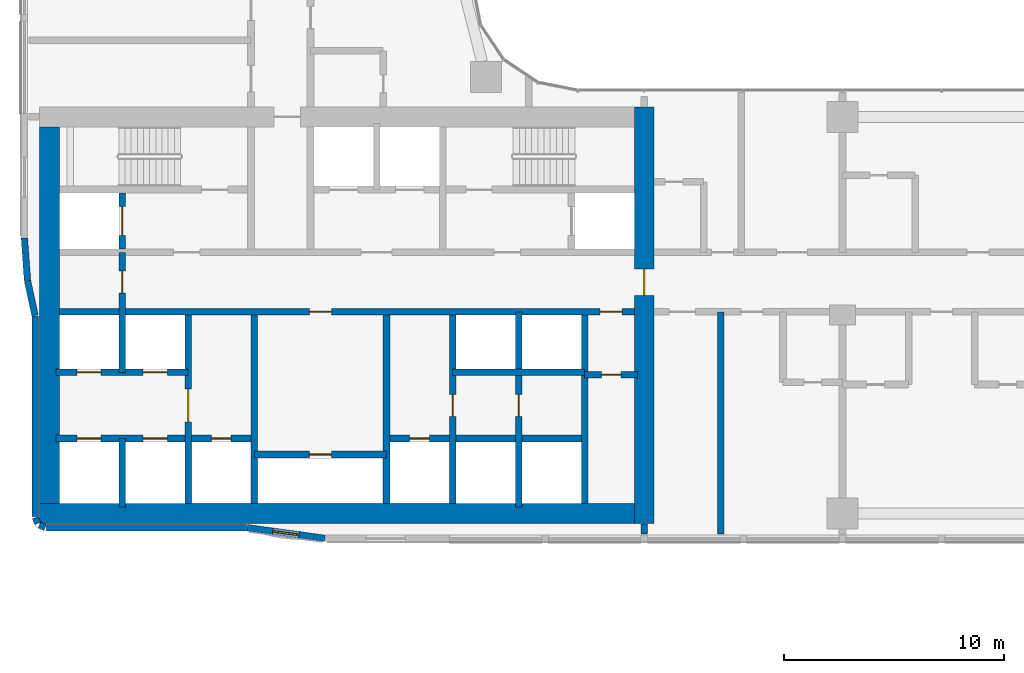
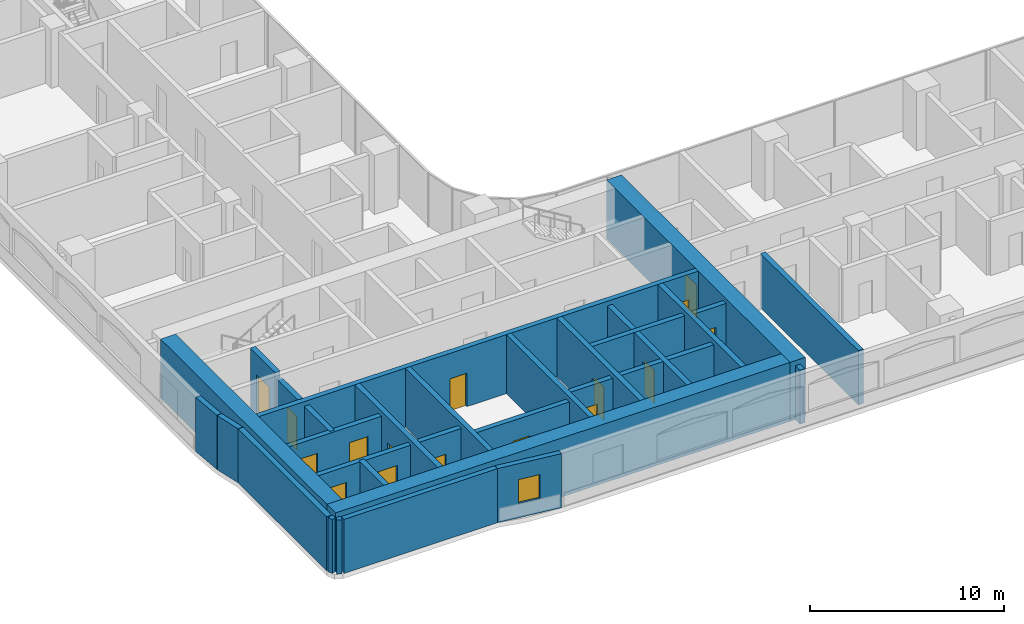
# One storey, part 18 of 36: 28 walls, 16 doors, 1 window, 17 openings.
"""IFC4 building model written with IfcOpenShell, lengths in metres."""

from ifc_helpers import new_model, si_unit, direction, frame, frame_2d, origin, place, context, subcontext, project, spatial, rectangle, extrude, material, layer, layer_set, type_object, element, fill, save


model = new_model("IFC4")

# Units and contexts
model_context = context("Model", 3, precision=1e-05, world=origin(), true_north=direction((0.0, 1.0)))
body_context = subcontext(model_context, "Body", "Model", "MODEL_VIEW")
ifc_project = project(units=[si_unit("LENGTHUNIT", "METRE"), si_unit("AREAUNIT", "SQUARE_METRE"), si_unit("VOLUMEUNIT", "CUBIC_METRE"), si_unit("PLANEANGLEUNIT", "RADIAN"), si_unit("MASSUNIT", "GRAM", prefix="KILO")], contexts=[model_context])

# Site, building, storey
site_placement = place(None, origin())
site = spatial("IfcSite", under=ifc_project, at=site_placement, CompositionType="ELEMENT")
building_placement = place(site_placement, origin())
building = spatial("IfcBuilding", under=site, at=building_placement, Name="Ogive Portal Towers", CompositionType="ELEMENT")
storey_placement = place(building_placement, frame((0.0, 0.0, 48.300048828125)))
storey = spatial("IfcBuildingStorey", under=building, at=storey_placement, Name="L10", CompositionType="ELEMENT", Elevation=48.300048828125)

# Wall, opening, door
ifc_material_1 = material(Name="Concrete C60/75", Category="concrete")
ifc_layer_1 = layer(ifc_material_1, 0.300048828125)
ifc_layer_set_1 = layer_set([ifc_layer_1], Name="CORE WALL 300 C60")
wall_type_1 = type_object("IfcWallType", Name="CORE WALL 300 C60", PredefinedType="SHEAR", material=ifc_layer_set_1)
wall_1_placement = place(storey_placement, frame((37.800048828125, 21.949951171875, 0.0), z_axis=(0.0, 0.0, 1.0), x_axis=(0.0, 1.0, 0.0)))
wall_1 = element("IfcWall", 1, at=wall_1_placement, inside=storey, type_object=wall_type_1, Name="Core wall X1 L10", PredefinedType="SHEAR", context=body_context, shape_type="SweptSolid", body=[
    extrude(rectangle(XDim=8.550048828125, YDim=0.300048828125, at=frame_2d((4.27490234375, 0.0))), origin(), (0.0, 0.0, 1.0), 3.699951171875),
])
opening_1_placement = place(wall_1_placement, frame((3.699951171875, 0.0, 0.0)))
opening_1 = element("IfcOpeningElement", 2, at=opening_1_placement, cuts=wall_1, Name="Opening D02-001", PredefinedType="OPENING", context=body_context, shape_type="SweptSolid", body=[
    extrude(rectangle(XDim=1.5, YDim=2.10009765625, at=frame_2d((0.75, 1.050048828125))), frame((0.0, 0.16015625, 0.0), z_axis=(0.0, -1.0, 0.0), x_axis=(1.0, 0.0, 0.0)), (0.0, 0.0, 1.0), 0.320068359375),
])
ifc_material_2 = material(Name="Steel fire door", Category="steel")
door_type_1 = type_object("IfcDoorType", Name="DT-SWING-1500x2100-FD90S", OperationType="SINGLE_SWING_LEFT", PredefinedType="DOOR", material=ifc_material_2)
door_1_placement = place(opening_1_placement, origin())
door_1 = element("IfcDoor", 3, at=door_1_placement, inside=storey, type_object=door_type_1, Name="Door D02-001", OperationType="SINGLE_SWING_LEFT", OverallHeight=2.10009765625, OverallWidth=1.5, PredefinedType="DOOR", context=body_context, shape_type="SweptSolid", body=[
    extrude(rectangle(XDim=1.5, YDim=2.10009765625, at=frame_2d((0.75, 1.050048828125))), frame((0.0, 0.02490234375, 0.0), z_axis=(0.0, -1.0, 0.0), x_axis=(1.0, 0.0, 0.0)), (0.0, 0.0, 1.0), 0.050048828125),
])
fill(opening_1, door_1)

# Walls
for number, where, z_axis, x_axis, name in (
    (4, (40.800048828125, 21.949951171875, 0.0), (0.0, 0.0, 1.0), (0.0, 1.0, 0.0), "Core wall X2 L10"),
    (5, (46.800048828125, 21.949951171875, 0.0), (0.0, 0.0, 1.0), (0.0, 1.0, 0.0), "Core wall X3 L10"),
):
    element("IfcWall", number, at=place(storey_placement, frame(where, z_axis=z_axis, x_axis=x_axis)), inside=storey, type_object=wall_type_1, Name=name, PredefinedType="SHEAR", context=body_context, shape_type="SweptSolid", body=[
        extrude(rectangle(XDim=8.550048828125, YDim=0.300048828125, at=frame_2d((4.27490234375, 0.0))), origin(), (0.0, 0.0, 1.0), 3.699951171875),
    ])

# Wall, opening, door
wall_2_placement = place(storey_placement, frame((49.800048828125, 21.949951171875, 0.0), z_axis=(0.0, 0.0, 1.0), x_axis=(0.0, 1.0, 0.0)))
wall_2 = element("IfcWall", 6, at=wall_2_placement, inside=storey, type_object=wall_type_1, Name="Core wall X4 L10", PredefinedType="SHEAR", context=body_context, shape_type="SweptSolid", body=[
    extrude(rectangle(XDim=8.550048828125, YDim=0.300048828125, at=frame_2d((4.27490234375, 0.0))), origin(), (0.0, 0.0, 1.0), 3.699951171875),
])
opening_2_placement = place(wall_2_placement, frame((3.949951171875, 0.0, 0.0)))
opening_2 = element("IfcOpeningElement", 7, at=opening_2_placement, cuts=wall_2, Name="Opening D02-023", PredefinedType="OPENING", context=body_context, shape_type="SweptSolid", body=[
    extrude(rectangle(XDim=1.0, YDim=2.10009765625, at=frame_2d((0.5, 1.050048828125))), frame((0.0, 0.16015625, 0.0), z_axis=(0.0, -1.0, 0.0), x_axis=(1.0, 0.0, 0.0)), (0.0, 0.0, 1.0), 0.320068359375),
])
door_type_2 = type_object("IfcDoorType", Name="DT-SWING-1000x2100-FD90S", OperationType="SINGLE_SWING_LEFT", PredefinedType="DOOR", material=ifc_material_2)
door_2_placement = place(opening_2_placement, origin())
door_2 = element("IfcDoor", 8, at=door_2_placement, inside=storey, type_object=door_type_2, Name="Door D02-023", OperationType="SINGLE_SWING_LEFT", OverallHeight=2.10009765625, OverallWidth=1.0, PredefinedType="DOOR", context=body_context, shape_type="SweptSolid", body=[
    extrude(rectangle(XDim=1.0, YDim=2.10009765625, at=frame_2d((0.5, 1.050048828125))), frame((0.0, 0.02490234375, 0.0), z_axis=(0.0, -1.0, 0.0), x_axis=(1.0, 0.0, 0.0)), (0.0, 0.0, 1.0), 0.050048828125),
])
fill(opening_2, door_2)

# Wall
wall_3_placement = place(storey_placement, frame((55.800048828125, 21.949951171875, 0.0), z_axis=(0.0, 0.0, 1.0), x_axis=(0.0, 1.0, 0.0)))
element("IfcWall", 9, at=wall_3_placement, inside=storey, type_object=wall_type_1, Name="Core wall X5 L10", PredefinedType="SHEAR", context=body_context, shape_type="SweptSolid", body=[
    extrude(rectangle(XDim=8.550048828125, YDim=0.300048828125, at=frame_2d((4.27490234375, 0.0))), origin(), (0.0, 0.0, 1.0), 3.699951171875),
])

# Wall, openings, doors
wall_4_placement = place(storey_placement, frame((31.949951171875, 30.64990234375, 0.0), z_axis=(0.0, 0.0, 1.0), x_axis=(1.0, 0.0, 0.0)))
wall_4 = element("IfcWall", 10, at=wall_4_placement, inside=storey, type_object=wall_type_1, Name="Core wall Y1 L10", PredefinedType="SHEAR", context=body_context, shape_type="SweptSolid", body=[
    extrude(rectangle(XDim=26.10009765625, YDim=0.300048828125, at=frame_2d((13.050048828125, 0.0))), origin(), (0.0, 0.0, 1.0), 3.699951171875),
])
opening_3_placement = place(wall_4_placement, frame((24.550048828125, 0.0, 0.0)))
opening_3 = element("IfcOpeningElement", 11, at=opening_3_placement, cuts=wall_4, Name="Opening D02-009", PredefinedType="OPENING", context=body_context, shape_type="SweptSolid", body=[
    extrude(rectangle(XDim=1.0, YDim=2.10009765625, at=frame_2d((0.5, 1.050048828125))), frame((0.0, 0.16015625, 0.0), z_axis=(0.0, -1.0, 0.0), x_axis=(1.0, 0.0, 0.0)), (0.0, 0.0, 1.0), 0.320068359375),
])
opening_4_placement = place(wall_4_placement, frame((11.35009765625, 0.0, 0.0)))
opening_4 = element("IfcOpeningElement", 12, at=opening_4_placement, cuts=wall_4, Name="Opening D02-021", PredefinedType="OPENING", context=body_context, shape_type="SweptSolid", body=[
    extrude(rectangle(XDim=1.0, YDim=2.10009765625, at=frame_2d((0.5, 1.050048828125))), frame((0.0, 0.16015625, 0.0), z_axis=(0.0, -1.0, 0.0), x_axis=(1.0, 0.0, 0.0)), (0.0, 0.0, 1.0), 0.320068359375),
])
door_3_placement = place(opening_3_placement, origin())
door_3 = element("IfcDoor", 13, at=door_3_placement, inside=storey, type_object=door_type_2, Name="Door D02-009", OperationType="SINGLE_SWING_LEFT", OverallHeight=2.10009765625, OverallWidth=1.0, PredefinedType="DOOR", context=body_context, shape_type="SweptSolid", body=[
    extrude(rectangle(XDim=1.0, YDim=2.10009765625, at=frame_2d((0.5, 1.050048828125))), frame((0.0, 0.02490234375, 0.0), z_axis=(0.0, -1.0, 0.0), x_axis=(1.0, 0.0, 0.0)), (0.0, 0.0, 1.0), 0.050048828125),
])
fill(opening_3, door_3)
door_4_placement = place(opening_4_placement, origin())
door_4 = element("IfcDoor", 14, at=door_4_placement, inside=storey, type_object=door_type_2, Name="Door D02-021", OperationType="SINGLE_SWING_LEFT", OverallHeight=2.10009765625, OverallWidth=1.0, PredefinedType="DOOR", context=body_context, shape_type="SweptSolid", body=[
    extrude(rectangle(XDim=1.0, YDim=2.10009765625, at=frame_2d((0.5, 1.050048828125))), frame((0.0, 0.02490234375, 0.0), z_axis=(0.0, -1.0, 0.0), x_axis=(1.0, 0.0, 0.0)), (0.0, 0.0, 1.0), 0.050048828125),
])
fill(opening_4, door_4)

# Wall, opening, door
wall_5_placement = place(storey_placement, frame((34.800048828125, 33.5, 0.0), z_axis=(0.0, 0.0, 1.0), x_axis=(0.0, 1.0, 0.0)))
wall_5 = element("IfcWall", 15, at=wall_5_placement, inside=storey, type_object=wall_type_1, Name="Core wall X8 L10", PredefinedType="SHEAR", context=body_context, shape_type="SweptSolid", body=[
    extrude(rectangle(XDim=2.550048828125, YDim=0.300048828125, at=frame_2d((1.27490234375, 0.0))), origin(), (0.0, 0.0, 1.0), 3.699951171875),
])
opening_5_placement = place(wall_5_placement, frame((0.625, 0.0, 0.0)))
opening_5 = element("IfcOpeningElement", 16, at=opening_5_placement, cuts=wall_5, Name="Opening D02-019", PredefinedType="OPENING", context=body_context, shape_type="SweptSolid", body=[
    extrude(rectangle(XDim=1.300048828125, YDim=2.39990234375, at=frame_2d((0.64990234375, 1.199951171875))), frame((0.0, 0.16015625, 0.0), z_axis=(0.0, -1.0, 0.0), x_axis=(1.0, 0.0, 0.0)), (0.0, 0.0, 1.0), 0.320068359375),
])
ifc_material_3 = material(Name="Stainless steel", Category="steel")
door_type_3 = type_object("IfcDoorType", Name="DT-LD-1300x2400", OperationType="SLIDING_TO_LEFT", PredefinedType="DOOR", material=ifc_material_3)
door_5_placement = place(opening_5_placement, origin())
door_5 = element("IfcDoor", 17, at=door_5_placement, inside=storey, type_object=door_type_3, Name="Door D02-019", OperationType="SLIDING_TO_LEFT", OverallHeight=2.39990234375, OverallWidth=1.300048828125, PredefinedType="DOOR", context=body_context, shape_type="SweptSolid", body=[
    extrude(rectangle(XDim=1.300048828125, YDim=2.39990234375, at=frame_2d((0.64990234375, 1.199951171875))), frame((0.0, 0.02490234375, 0.0), z_axis=(0.0, -1.0, 0.0), x_axis=(1.0, 0.0, 0.0)), (0.0, 0.0, 1.0), 0.050048828125),
])
fill(opening_5, door_5)

# Walls
ifc_layer_2 = layer(ifc_material_1, 0.89990234375)
ifc_layer_set_2 = layer_set([ifc_layer_2], Name="CORE WALL 900 C60")
wall_type_2 = type_object("IfcWallType", Name="CORE WALL 900 C60", PredefinedType="SHEAR", material=ifc_layer_set_2)
wall_6_placement = place(storey_placement, frame((31.5, 21.949951171875, 0.0), z_axis=(0.0, 0.0, 1.0), x_axis=(0.0, 1.0, 0.0)))
element("IfcWall", 18, at=wall_6_placement, inside=storey, type_object=wall_type_2, Name="Core wall W L10", PredefinedType="SHEAR", context=body_context, shape_type="SweptSolid", body=[
    extrude(rectangle(XDim=17.10009765625, YDim=0.89990234375, at=frame_2d((8.550048828125, 0.0))), origin(), (0.0, 0.0, 1.0), 3.699951171875),
])
wall_7_placement = place(storey_placement, frame((31.050048828125, 21.5, 0.0), z_axis=(0.0, 0.0, 1.0), x_axis=(1.0, 0.0, 0.0)))
element("IfcWall", 19, at=wall_7_placement, inside=storey, type_object=wall_type_2, Name="Core wall S L10", PredefinedType="SHEAR", context=body_context, shape_type="SweptSolid", body=[
    extrude(rectangle(XDim=27.0, YDim=0.89990234375, at=frame_2d((13.5, 0.0))), origin(), (0.0, 0.0, 1.0), 3.699951171875),
])

# Wall, opening, door
wall_8_placement = place(storey_placement, frame((58.5, 21.050048828125, 0.0), z_axis=(0.0, 0.0, 1.0), x_axis=(0.0, 1.0, 0.0)))
wall_8 = element("IfcWall", 20, at=wall_8_placement, inside=storey, type_object=wall_type_2, Name="Core wall E L10", PredefinedType="SHEAR", context=body_context, shape_type="SweptSolid", body=[
    extrude(rectangle(XDim=18.89990234375, YDim=0.89990234375, at=frame_2d((9.449951171875, 0.0))), origin(), (0.0, 0.0, 1.0), 3.699951171875),
])
opening_6_placement = place(wall_8_placement, frame((10.35009765625, 0.0, 0.0)))
opening_6 = element("IfcOpeningElement", 21, at=opening_6_placement, cuts=wall_8, Name="Opening D02-011", PredefinedType="OPENING", context=body_context, shape_type="SweptSolid", body=[
    extrude(rectangle(XDim=1.199951171875, YDim=2.10009765625, at=frame_2d((0.60009765625, 1.050048828125))), frame((0.0, 0.4599609375, 0.0), z_axis=(0.0, -1.0, 0.0), x_axis=(1.0, 0.0, 0.0)), (0.0, 0.0, 1.0), 0.919921875),
])
door_type_4 = type_object("IfcDoorType", Name="DT-SWING-1200x2100-FD90S", OperationType="SINGLE_SWING_LEFT", PredefinedType="DOOR", material=ifc_material_2)
door_6_placement = place(opening_6_placement, origin())
door_6 = element("IfcDoor", 22, at=door_6_placement, inside=storey, type_object=door_type_4, Name="Door D02-011", OperationType="SINGLE_SWING_LEFT", OverallHeight=2.10009765625, OverallWidth=1.199951171875, PredefinedType="DOOR", context=body_context, shape_type="SweptSolid", body=[
    extrude(rectangle(XDim=1.199951171875, YDim=2.10009765625, at=frame_2d((0.60009765625, 1.050048828125))), frame((0.0, 0.02490234375, 0.0), z_axis=(0.0, -1.0, 0.0), x_axis=(1.0, 0.0, 0.0)), (0.0, 0.0, 1.0), 0.050048828125),
])
fill(opening_6, door_6)

# Walls
ifc_material_4 = material(Name="Limestone cladding on lightweight block wall", Category="masonry")
ifc_layer_3 = layer(ifc_material_4, 0.300048828125)
ifc_layer_set_3 = layer_set([ifc_layer_3], Name="EXTERNAL WALL 300 STONE")
wall_type_3 = type_object("IfcWallType", Name="EXTERNAL WALL 300 STONE", PredefinedType="SOLIDWALL", material=ifc_layer_set_3)
wall_9_placement = place(storey_placement, frame((30.85009765625, 30.45361328125, 0.0), z_axis=(0.0, 0.0, 1.0), x_axis=(0.0, -1.0, 0.0)))
element("IfcWall", 23, at=wall_9_placement, inside=storey, type_object=wall_type_3, Name="A:L10:f00:r0:wall", PredefinedType="SOLIDWALL", context=body_context, shape_type="SweptSolid", body=[
    extrude(rectangle(XDim=9.093994140625, YDim=0.300048828125, at=frame_2d((4.546875, 0.0))), origin(), (0.0, 0.0, 1.0), 3.39990234375),
])
for number, where, z_axis, x_axis, name in (
    (24, (30.861328125, 21.30224609375, 0.0), (0.0, 0.0, 1.0), (0.38297812142, -0.923757413239, 0.0), "A:L10:f01:r0:wall"),
    (25, (31.0478515625, 20.966796875, 0.0), (0.0, 0.0, 1.0), (0.923757413239, -0.38297812142, 0.0), "A:L10:f02:r0:wall"),
):
    element("IfcWall", number, at=place(storey_placement, frame(where, z_axis=z_axis, x_axis=x_axis)), inside=storey, type_object=wall_type_3, Name=name, PredefinedType="SOLIDWALL", context=body_context, shape_type="SweptSolid", body=[
        extrude(rectangle(XDim=0.275390625, YDim=0.300048828125, at=frame_2d((0.1376953125, 0.0))), origin(), (0.0, 0.0, 1.0), 3.39990234375),
    ])
wall_10_placement = place(storey_placement, frame((31.359619140625, 20.85009765625, 0.0), z_axis=(0.0, 0.0, 1.0), x_axis=(1.0, 0.0, 0.0)))
element("IfcWall", 26, at=wall_10_placement, inside=storey, type_object=wall_type_3, Name="A:L10:f03:r0:wall", PredefinedType="SOLIDWALL", context=body_context, shape_type="SweptSolid", body=[
    extrude(rectangle(XDim=9.093994140625, YDim=0.300048828125, at=frame_2d((4.546875, 0.0))), origin(), (0.0, 0.0, 1.0), 3.39990234375),
])

# Wall, opening, window
wall_11_placement = place(storey_placement, frame((40.47412109375, 20.8486328125, 0.0), z_axis=(0.0, 0.0, 1.0), x_axis=(0.990778329255, -0.135492812649, 0.0)))
wall_11 = element("IfcWall", 27, at=wall_11_placement, inside=storey, type_object=wall_type_3, Name="A:L10:f04:r0:wall", PredefinedType="SOLIDWALL", context=body_context, shape_type="SweptSolid", body=[
    extrude(rectangle(XDim=3.55859375, YDim=0.300048828125, at=frame_2d((1.779296875, 0.0))), origin(), (0.0, 0.0, 1.0), 3.39990234375),
])
opening_7_placement = place(wall_11_placement, frame((1.179443359375, 0.0, 0.89990234375)))
opening_7 = element("IfcOpeningElement", 28, at=opening_7_placement, cuts=wall_11, Name="Opening WN9", PredefinedType="OPENING", context=body_context, shape_type="SweptSolid", body=[
    extrude(rectangle(XDim=1.199951171875, YDim=1.5, at=frame_2d((0.60009765625, 0.75))), frame((0.0, 0.16015625, 0.0), z_axis=(0.0, -1.0, 0.0), x_axis=(1.0, 0.0, 0.0)), (0.0, 0.0, 1.0), 0.320068359375),
])
ifc_material_5 = material(Name="Glass, clear low-iron insulated glazing", Category="glass")
window_type = type_object("IfcWindowType", Name="WINDOW HOTEL CASEMENT 1200x1500", PartitioningType="DOUBLE_PANEL_VERTICAL", PredefinedType="WINDOW", material=ifc_material_5)
window_placement = place(opening_7_placement, origin())
window = element("IfcWindow", 29, at=window_placement, inside=storey, type_object=window_type, Name="A:L10:f04:r0:w0", OverallHeight=1.5, OverallWidth=1.199951171875, PartitioningType="SINGLE_PANEL", PredefinedType="WINDOW", context=body_context, shape_type="SweptSolid", body=[
    extrude(rectangle(XDim=1.199951171875, YDim=1.5, at=frame_2d((0.60009765625, 0.75))), frame((0.0, 0.030029296875, 0.0), z_axis=(0.0, -1.0, 0.0), x_axis=(1.0, 0.0, 0.0)), (0.0, 0.0, 1.0), 0.06005859375),
])
fill(opening_7, window)

# Walls
wall_12_placement = place(storey_placement, frame((30.365478515625, 34.0, 0.0), z_axis=(0.0, 0.0, 1.0), x_axis=(0.071300859436, -0.99745485484, 0.0)))
element("IfcWall", 30, at=wall_12_placement, inside=storey, type_object=wall_type_3, Name="A:L10:f24:r0:wall", PredefinedType="SOLIDWALL", context=body_context, shape_type="SweptSolid", body=[
    extrude(rectangle(XDim=1.9345703125, YDim=0.300048828125, at=frame_2d((0.96728515625, 0.0))), origin(), (0.0, 0.0, 1.0), 3.39990234375),
])
wall_13_placement = place(storey_placement, frame((30.50634765625, 32.049072265625, 0.0), z_axis=(0.0, 0.0, 1.0), x_axis=(0.212695686462, -0.977118490747, 0.0)))
element("IfcWall", 31, at=wall_13_placement, inside=storey, type_object=wall_type_3, Name="A:L10:f25:r0:wall", PredefinedType="SOLIDWALL", context=body_context, shape_type="SweptSolid", body=[
    extrude(rectangle(XDim=1.60009765625, YDim=0.300048828125, at=frame_2d((0.800048828125, 0.0))), origin(), (0.0, 0.0, 1.0), 3.39990234375),
])

# Wall, opening, door
ifc_material_6 = material(Name="Gypsum board partition on steel studs", Category="steel")
ifc_layer_4 = layer(ifc_material_6, 0.300048828125)
ifc_layer_set_4 = layer_set([ifc_layer_4], Name="WT-PART-300")
wall_type_4 = type_object("IfcWallType", Name="WT-PART-300", PredefinedType="PARTITIONING", material=ifc_layer_set_4)
wall_14_placement = place(storey_placement, frame((40.800048828125, 24.173095703125, 0.0), z_axis=(0.0, 0.0, 1.0), x_axis=(1.0, 0.0, 0.0)))
wall_14 = element("IfcWall", 32, at=wall_14_placement, inside=storey, type_object=wall_type_4, Name="Wall pw:001:L10", PredefinedType="PARTITIONING", context=body_context, shape_type="SweptSolid", body=[
    extrude(rectangle(XDim=6.0, YDim=0.300048828125, at=frame_2d((3.0, 0.0))), origin(), (0.0, 0.0, 1.0), 3.39990234375),
])
opening_8_placement = place(wall_14_placement, frame((2.5, 0.0, 0.0)))
opening_8 = element("IfcOpeningElement", 33, at=opening_8_placement, cuts=wall_14, Name="Opening D02-022", PredefinedType="OPENING", context=body_context, shape_type="SweptSolid", body=[
    extrude(rectangle(XDim=1.0, YDim=2.10009765625, at=frame_2d((0.5, 1.050048828125))), frame((0.0, 0.16015625, 0.0), z_axis=(0.0, -1.0, 0.0), x_axis=(1.0, 0.0, 0.0)), (0.0, 0.0, 1.0), 0.320068359375),
])
door_type_5 = type_object("IfcDoorType", Name="DT-SWING-1000x2100-FD60S", OperationType="SINGLE_SWING_LEFT", PredefinedType="DOOR", material=ifc_material_2)
door_7_placement = place(opening_8_placement, origin())
door_7 = element("IfcDoor", 34, at=door_7_placement, inside=storey, type_object=door_type_5, Name="Riser access door D02-022", OperationType="SINGLE_SWING_RIGHT", OverallHeight=2.10009765625, OverallWidth=1.0, PredefinedType="DOOR", context=body_context, shape_type="SweptSolid", body=[
    extrude(rectangle(XDim=1.0, YDim=2.10009765625, at=frame_2d((0.5, 1.050048828125))), frame((0.0, 0.02490234375, 0.0), z_axis=(0.0, -1.0, 0.0), x_axis=(1.0, 0.0, 0.0)), (0.0, 0.0, 1.0), 0.050048828125),
])
fill(opening_8, door_7)

wall_15_placement = place(storey_placement, frame((55.800048828125, 27.800048828125, 0.0), z_axis=(0.0, 0.0, 1.0), x_axis=(1.0, 0.0, 0.0)))
wall_15 = element("IfcWall", 35, at=wall_15_placement, inside=storey, type_object=wall_type_4, Name="Wall pw:004:L10", PredefinedType="PARTITIONING", context=body_context, shape_type="SweptSolid", body=[
    extrude(rectangle(XDim=2.39990234375, YDim=0.300048828125, at=frame_2d((1.199951171875, 0.0))), origin(), (0.0, 0.0, 1.0), 3.39990234375),
])
opening_9_placement = place(wall_15_placement, frame((0.75, 0.0, 0.0)))
opening_9 = element("IfcOpeningElement", 36, at=opening_9_placement, cuts=wall_15, Name="Opening D02-010", PredefinedType="OPENING", context=body_context, shape_type="SweptSolid", body=[
    extrude(rectangle(XDim=0.89990234375, YDim=2.10009765625, at=frame_2d((0.449951171875, 1.050048828125))), frame((0.0, 0.16015625, 0.0), z_axis=(0.0, -1.0, 0.0), x_axis=(1.0, 0.0, 0.0)), (0.0, 0.0, 1.0), 0.320068359375),
])
door_type_6 = type_object("IfcDoorType", Name="DT-SWING-900x2100-FD60S", OperationType="SINGLE_SWING_LEFT", PredefinedType="DOOR", material=ifc_material_2)
door_8_placement = place(opening_9_placement, origin())
door_8 = element("IfcDoor", 37, at=door_8_placement, inside=storey, type_object=door_type_6, Name="Door D02-010", OperationType="SINGLE_SWING_RIGHT", OverallHeight=2.10009765625, OverallWidth=0.89990234375, PredefinedType="DOOR", context=body_context, shape_type="SweptSolid", body=[
    extrude(rectangle(XDim=0.89990234375, YDim=2.10009765625, at=frame_2d((0.449951171875, 1.050048828125))), frame((0.0, 0.02490234375, 0.0), z_axis=(0.0, -1.0, 0.0), x_axis=(1.0, 0.0, 0.0)), (0.0, 0.0, 1.0), 0.050048828125),
])
fill(opening_9, door_8)

# Walls
ifc_layer_5 = layer(ifc_material_6, 0.300048828125)
ifc_layer_set_5 = layer_set([ifc_layer_5], Name="WT-PART-300-EI 60")
wall_type_5 = type_object("IfcWallType", Name="WT-PART-300-EI 60", PredefinedType="PARTITIONING", material=ifc_layer_set_5)
wall_16_placement = place(storey_placement, frame((58.5, 20.56494140625, 0.0), z_axis=(0.0, 0.0, 1.0), x_axis=(0.0, 1.0, 0.0)))
element("IfcWall", 38, at=wall_16_placement, inside=storey, type_object=wall_type_5, Name="Wall L10:w046", PredefinedType="PARTITIONING", context=body_context, shape_type="SweptSolid", body=[
    extrude(rectangle(XDim=0.465087890625, YDim=0.300048828125, at=frame_2d((0.232421875, 0.0))), origin(), (0.0, 0.0, 1.0), 3.39990234375),
])
wall_17_placement = place(storey_placement, frame((61.969970703125, 20.56494140625, 0.0), z_axis=(0.0, 0.0, 1.0), x_axis=(0.0, 1.0, 0.0)))
element("IfcWall", 39, at=wall_17_placement, inside=storey, type_object=wall_type_5, Name="Wall L10:w049", PredefinedType="PARTITIONING", context=body_context, shape_type="SweptSolid", body=[
    extrude(rectangle(XDim=10.0849609375, YDim=0.300048828125, at=frame_2d((5.04248046875, 0.0))), origin(), (0.0, 0.0, 1.0), 3.39990234375),
])

# Wall, openings, doors
ifc_material_7 = material(Name="Concrete C40/50", Category="concrete")
ifc_layer_6 = layer(ifc_material_7, 0.300048828125)
ifc_layer_set_6 = layer_set([ifc_layer_6], Name="WT-SHAFT-300")
wall_type_6 = type_object("IfcWallType", Name="WT-SHAFT-300", PredefinedType="SOLIDWALL", material=ifc_layer_set_6)
wall_18_placement = place(storey_placement, frame((31.800048828125, 24.89990234375, 0.0), z_axis=(0.0, 0.0, 1.0), x_axis=(1.0, 0.0, 0.0)))
wall_18 = element("IfcWall", 40, at=wall_18_placement, inside=storey, type_object=wall_type_6, Name="Wall pw:002:L10", PredefinedType="SOLIDWALL", context=body_context, shape_type="SweptSolid", body=[
    extrude(rectangle(XDim=9.0, YDim=0.300048828125, at=frame_2d((4.5, 0.0))), origin(), (0.0, 0.0, 1.0), 3.39990234375),
])
opening_10_placement = place(wall_18_placement, frame((7.050048828125, 0.0, 0.0)))
opening_10 = element("IfcOpeningElement", 41, at=opening_10_placement, cuts=wall_18, Name="Opening D02-007", PredefinedType="OPENING", context=body_context, shape_type="SweptSolid", body=[
    extrude(rectangle(XDim=0.89990234375, YDim=2.10009765625, at=frame_2d((0.449951171875, 1.050048828125))), frame((0.0, 0.16015625, 0.0), z_axis=(0.0, -1.0, 0.0), x_axis=(1.0, 0.0, 0.0)), (0.0, 0.0, 1.0), 0.320068359375),
])
opening_11_placement = place(wall_18_placement, frame((0.949951171875, 0.0, 0.0)))
opening_11 = element("IfcOpeningElement", 42, at=opening_11_placement, cuts=wall_18, Name="Opening D02-013", PredefinedType="OPENING", context=body_context, shape_type="SweptSolid", body=[
    extrude(rectangle(XDim=1.10009765625, YDim=2.39990234375, at=frame_2d((0.550048828125, 1.199951171875))), frame((0.0, 0.16015625, 0.0), z_axis=(0.0, -1.0, 0.0), x_axis=(1.0, 0.0, 0.0)), (0.0, 0.0, 1.0), 0.320068359375),
])
opening_12_placement = place(wall_18_placement, frame((3.949951171875, 0.0, 0.0)))
opening_12 = element("IfcOpeningElement", 43, at=opening_12_placement, cuts=wall_18, Name="Opening D02-014", PredefinedType="OPENING", context=body_context, shape_type="SweptSolid", body=[
    extrude(rectangle(XDim=1.10009765625, YDim=2.39990234375, at=frame_2d((0.550048828125, 1.199951171875))), frame((0.0, 0.16015625, 0.0), z_axis=(0.0, -1.0, 0.0), x_axis=(1.0, 0.0, 0.0)), (0.0, 0.0, 1.0), 0.320068359375),
])
door_type_7 = type_object("IfcDoorType", Name="DT-LD-1100x2400", OperationType="SLIDING_TO_LEFT", PredefinedType="DOOR", material=ifc_material_3)
door_9_placement = place(opening_11_placement, origin())
door_9 = element("IfcDoor", 44, at=door_9_placement, inside=storey, type_object=door_type_7, Name="Door D02-013", OperationType="SLIDING_TO_LEFT", OverallHeight=2.39990234375, OverallWidth=1.10009765625, PredefinedType="DOOR", context=body_context, shape_type="SweptSolid", body=[
    extrude(rectangle(XDim=1.10009765625, YDim=2.39990234375, at=frame_2d((0.550048828125, 1.199951171875))), frame((0.0, 0.02490234375, 0.0), z_axis=(0.0, -1.0, 0.0), x_axis=(1.0, 0.0, 0.0)), (0.0, 0.0, 1.0), 0.050048828125),
])
fill(opening_11, door_9)
door_10_placement = place(opening_12_placement, origin())
door_10 = element("IfcDoor", 45, at=door_10_placement, inside=storey, type_object=door_type_7, Name="Door D02-014", OperationType="SLIDING_TO_LEFT", OverallHeight=2.39990234375, OverallWidth=1.10009765625, PredefinedType="DOOR", context=body_context, shape_type="SweptSolid", body=[
    extrude(rectangle(XDim=1.10009765625, YDim=2.39990234375, at=frame_2d((0.550048828125, 1.199951171875))), frame((0.0, 0.02490234375, 0.0), z_axis=(0.0, -1.0, 0.0), x_axis=(1.0, 0.0, 0.0)), (0.0, 0.0, 1.0), 0.050048828125),
])
fill(opening_12, door_10)
door_type_8 = type_object("IfcDoorType", Name="DT-SWING-900x2100-FD90S", OperationType="SINGLE_SWING_LEFT", PredefinedType="DOOR", material=ifc_material_2)
door_11_placement = place(opening_10_placement, origin())
door_11 = element("IfcDoor", 46, at=door_11_placement, inside=storey, type_object=door_type_8, Name="Riser access door D02-007", OperationType="SINGLE_SWING_LEFT", OverallHeight=2.10009765625, OverallWidth=0.89990234375, PredefinedType="DOOR", context=body_context, shape_type="SweptSolid", body=[
    extrude(rectangle(XDim=0.89990234375, YDim=2.10009765625, at=frame_2d((0.449951171875, 1.050048828125))), frame((0.0, 0.02490234375, 0.0), z_axis=(0.0, -1.0, 0.0), x_axis=(1.0, 0.0, 0.0)), (0.0, 0.0, 1.0), 0.050048828125),
])
fill(opening_10, door_11)

# Wall, opening, door
wall_19_placement = place(storey_placement, frame((46.800048828125, 24.89990234375, 0.0), z_axis=(0.0, 0.0, 1.0), x_axis=(1.0, 0.0, 0.0)))
wall_19 = element("IfcWall", 47, at=wall_19_placement, inside=storey, type_object=wall_type_6, Name="Wall pw:003:L10", PredefinedType="SOLIDWALL", context=body_context, shape_type="SweptSolid", body=[
    extrude(rectangle(XDim=9.0, YDim=0.300048828125, at=frame_2d((4.5, 0.0))), origin(), (0.0, 0.0, 1.0), 3.39990234375),
])
opening_13_placement = place(wall_19_placement, frame((1.050048828125, 0.0, 0.0)))
opening_13 = element("IfcOpeningElement", 48, at=opening_13_placement, cuts=wall_19, Name="Opening D02-008", PredefinedType="OPENING", context=body_context, shape_type="SweptSolid", body=[
    extrude(rectangle(XDim=0.89990234375, YDim=2.10009765625, at=frame_2d((0.449951171875, 1.050048828125))), frame((0.0, 0.16015625, 0.0), z_axis=(0.0, -1.0, 0.0), x_axis=(1.0, 0.0, 0.0)), (0.0, 0.0, 1.0), 0.320068359375),
])
door_12_placement = place(opening_13_placement, origin())
door_12 = element("IfcDoor", 49, at=door_12_placement, inside=storey, type_object=door_type_8, Name="Riser access door D02-008", OperationType="SINGLE_SWING_RIGHT", OverallHeight=2.10009765625, OverallWidth=0.89990234375, PredefinedType="DOOR", context=body_context, shape_type="SweptSolid", body=[
    extrude(rectangle(XDim=0.89990234375, YDim=2.10009765625, at=frame_2d((0.449951171875, 1.050048828125))), frame((0.0, 0.02490234375, 0.0), z_axis=(0.0, -1.0, 0.0), x_axis=(1.0, 0.0, 0.0)), (0.0, 0.0, 1.0), 0.050048828125),
])
fill(opening_13, door_12)

# Wall, openings, doors
wall_20_placement = place(storey_placement, frame((31.800048828125, 27.89990234375, 0.0), z_axis=(0.0, 0.0, 1.0), x_axis=(1.0, 0.0, 0.0)))
wall_20 = element("IfcWall", 50, at=wall_20_placement, inside=storey, type_object=wall_type_6, Name="Wall pw:005:L10", PredefinedType="SOLIDWALL", context=body_context, shape_type="SweptSolid", body=[
    extrude(rectangle(XDim=6.0, YDim=0.300048828125, at=frame_2d((3.0, 0.0))), origin(), (0.0, 0.0, 1.0), 3.39990234375),
])
opening_14_placement = place(wall_20_placement, frame((0.949951171875, 0.0, 0.0)))
opening_14 = element("IfcOpeningElement", 51, at=opening_14_placement, cuts=wall_20, Name="Opening D02-015", PredefinedType="OPENING", context=body_context, shape_type="SweptSolid", body=[
    extrude(rectangle(XDim=1.10009765625, YDim=2.39990234375, at=frame_2d((0.550048828125, 1.199951171875))), frame((0.0, 0.16015625, 0.0), z_axis=(0.0, -1.0, 0.0), x_axis=(1.0, 0.0, 0.0)), (0.0, 0.0, 1.0), 0.320068359375),
])
opening_15_placement = place(wall_20_placement, frame((3.949951171875, 0.0, 0.0)))
opening_15 = element("IfcOpeningElement", 52, at=opening_15_placement, cuts=wall_20, Name="Opening D02-016", PredefinedType="OPENING", context=body_context, shape_type="SweptSolid", body=[
    extrude(rectangle(XDim=1.10009765625, YDim=2.39990234375, at=frame_2d((0.550048828125, 1.199951171875))), frame((0.0, 0.16015625, 0.0), z_axis=(0.0, -1.0, 0.0), x_axis=(1.0, 0.0, 0.0)), (0.0, 0.0, 1.0), 0.320068359375),
])
door_13_placement = place(opening_14_placement, origin())
door_13 = element("IfcDoor", 53, at=door_13_placement, inside=storey, type_object=door_type_7, Name="Door D02-015", OperationType="SLIDING_TO_LEFT", OverallHeight=2.39990234375, OverallWidth=1.10009765625, PredefinedType="DOOR", context=body_context, shape_type="SweptSolid", body=[
    extrude(rectangle(XDim=1.10009765625, YDim=2.39990234375, at=frame_2d((0.550048828125, 1.199951171875))), frame((0.0, 0.02490234375, 0.0), z_axis=(0.0, -1.0, 0.0), x_axis=(1.0, 0.0, 0.0)), (0.0, 0.0, 1.0), 0.050048828125),
])
fill(opening_14, door_13)
door_14_placement = place(opening_15_placement, origin())
door_14 = element("IfcDoor", 54, at=door_14_placement, inside=storey, type_object=door_type_7, Name="Door D02-016", OperationType="SLIDING_TO_LEFT", OverallHeight=2.39990234375, OverallWidth=1.10009765625, PredefinedType="DOOR", context=body_context, shape_type="SweptSolid", body=[
    extrude(rectangle(XDim=1.10009765625, YDim=2.39990234375, at=frame_2d((0.550048828125, 1.199951171875))), frame((0.0, 0.02490234375, 0.0), z_axis=(0.0, -1.0, 0.0), x_axis=(1.0, 0.0, 0.0)), (0.0, 0.0, 1.0), 0.050048828125),
])
fill(opening_15, door_14)

# Walls
wall_21_placement = place(storey_placement, frame((49.800048828125, 27.89990234375, 0.0), z_axis=(0.0, 0.0, 1.0), x_axis=(1.0, 0.0, 0.0)))
element("IfcWall", 55, at=wall_21_placement, inside=storey, type_object=wall_type_6, Name="Wall pw:006:L10", PredefinedType="SOLIDWALL", context=body_context, shape_type="SweptSolid", body=[
    extrude(rectangle(XDim=6.0, YDim=0.300048828125, at=frame_2d((3.0, 0.0))), origin(), (0.0, 0.0, 1.0), 3.39990234375),
])
wall_22_placement = place(storey_placement, frame((34.800048828125, 21.800048828125, 0.0), z_axis=(0.0, 0.0, 1.0), x_axis=(0.0, 1.0, 0.0)))
element("IfcWall", 56, at=wall_22_placement, inside=storey, type_object=wall_type_6, Name="Wall pw:007:L10", PredefinedType="SOLIDWALL", context=body_context, shape_type="SweptSolid", body=[
    extrude(rectangle(XDim=3.099853515625, YDim=0.300048828125, at=frame_2d((1.5498046875, 0.0))), origin(), (0.0, 0.0, 1.0), 3.39990234375),
])

# Wall, opening, door
wall_23_placement = place(storey_placement, frame((34.800048828125, 27.89990234375, 0.0), z_axis=(0.0, 0.0, 1.0), x_axis=(0.0, 1.0, 0.0)))
wall_23 = element("IfcWall", 57, at=wall_23_placement, inside=storey, type_object=wall_type_6, Name="Wall pw:008:L10", PredefinedType="SOLIDWALL", context=body_context, shape_type="SweptSolid", body=[
    extrude(rectangle(XDim=5.4501953125, YDim=0.300048828125, at=frame_2d((2.72509765625, 0.0))), origin(), (0.0, 0.0, 1.0), 3.39990234375),
])
opening_16_placement = place(wall_23_placement, frame((3.60009765625, 0.0, 0.0)))
opening_16 = element("IfcOpeningElement", 58, at=opening_16_placement, cuts=wall_23, Name="Opening D02-025", PredefinedType="OPENING", context=body_context, shape_type="SweptSolid", body=[
    extrude(rectangle(XDim=1.0, YDim=2.10009765625, at=frame_2d((0.5, 1.050048828125))), frame((0.0, 0.16015625, 0.0), z_axis=(0.0, -1.0, 0.0), x_axis=(1.0, 0.0, 0.0)), (0.0, 0.0, 1.0), 0.320068359375),
])
door_15_placement = place(opening_16_placement, origin())
door_15 = element("IfcDoor", 59, at=door_15_placement, inside=storey, type_object=door_type_2, Name="Door D02-025", OperationType="SINGLE_SWING_LEFT", OverallHeight=2.10009765625, OverallWidth=1.0, PredefinedType="DOOR", context=body_context, shape_type="SweptSolid", body=[
    extrude(rectangle(XDim=1.0, YDim=2.10009765625, at=frame_2d((0.5, 1.050048828125))), frame((0.0, 0.02490234375, 0.0), z_axis=(0.0, -1.0, 0.0), x_axis=(1.0, 0.0, 0.0)), (0.0, 0.0, 1.0), 0.050048828125),
])
fill(opening_16, door_15)

wall_24_placement = place(storey_placement, frame((52.800048828125, 21.800048828125, 0.0), z_axis=(0.0, 0.0, 1.0), x_axis=(0.0, 1.0, 0.0)))
wall_24 = element("IfcWall", 60, at=wall_24_placement, inside=storey, type_object=wall_type_6, Name="Wall pw:010:L10", PredefinedType="SOLIDWALL", context=body_context, shape_type="SweptSolid", body=[
    extrude(rectangle(XDim=8.849853515625, YDim=0.300048828125, at=frame_2d((4.4248046875, 0.0))), origin(), (0.0, 0.0, 1.0), 3.39990234375),
])
opening_17_placement = place(wall_24_placement, frame((4.10009765625, 0.0, 0.0)))
opening_17 = element("IfcOpeningElement", 61, at=opening_17_placement, cuts=wall_24, Name="Opening D02-024", PredefinedType="OPENING", context=body_context, shape_type="SweptSolid", body=[
    extrude(rectangle(XDim=1.0, YDim=2.10009765625, at=frame_2d((0.5, 1.050048828125))), frame((0.0, 0.16015625, 0.0), z_axis=(0.0, -1.0, 0.0), x_axis=(1.0, 0.0, 0.0)), (0.0, 0.0, 1.0), 0.320068359375),
])
door_16_placement = place(opening_17_placement, origin())
door_16 = element("IfcDoor", 62, at=door_16_placement, inside=storey, type_object=door_type_2, Name="Door D02-024", OperationType="SINGLE_SWING_RIGHT", OverallHeight=2.10009765625, OverallWidth=1.0, PredefinedType="DOOR", context=body_context, shape_type="SweptSolid", body=[
    extrude(rectangle(XDim=1.0, YDim=2.10009765625, at=frame_2d((0.5, 1.050048828125))), frame((0.0, 0.02490234375, 0.0), z_axis=(0.0, -1.0, 0.0), x_axis=(1.0, 0.0, 0.0)), (0.0, 0.0, 1.0), 0.050048828125),
])
fill(opening_17, door_16)

save(model, "model.ifc")
